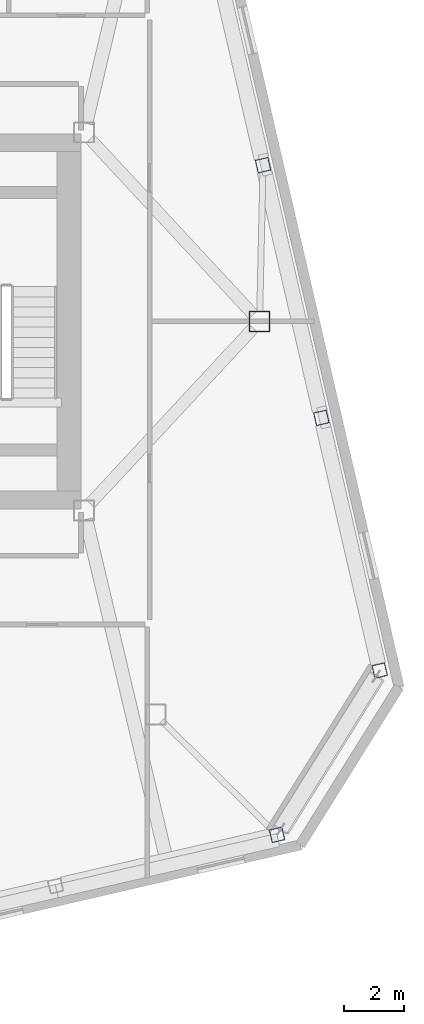
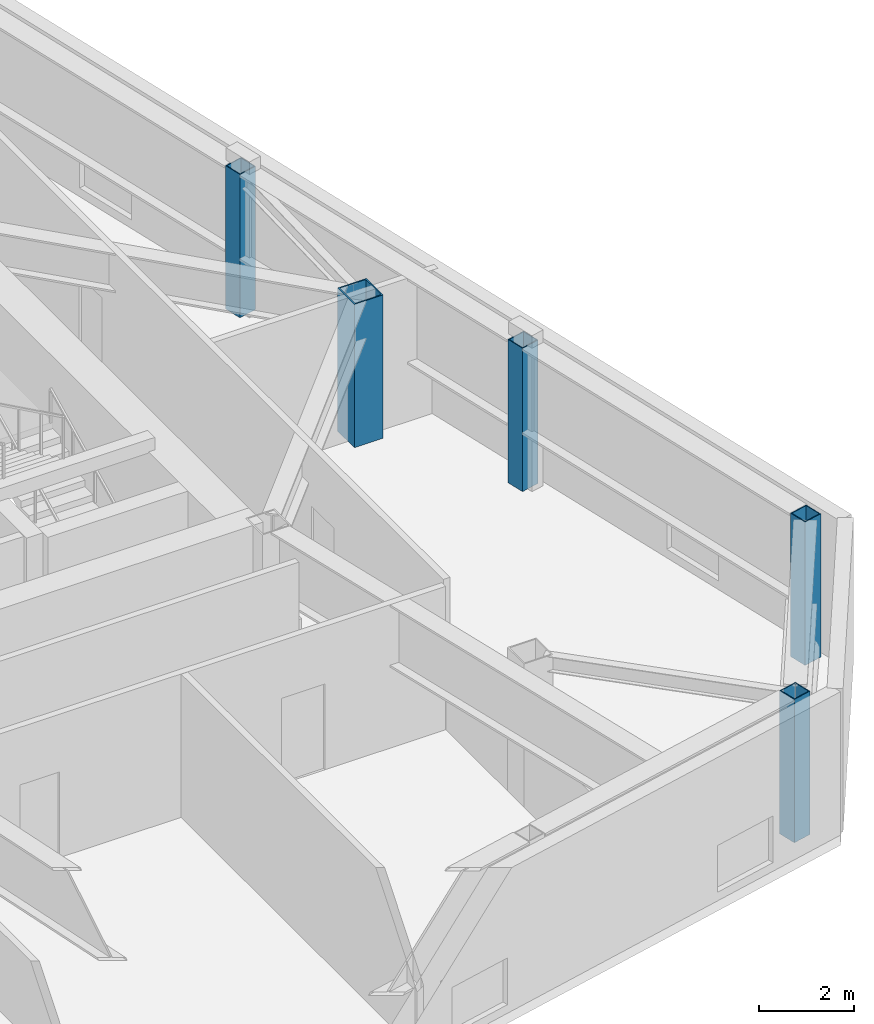
# One storey, part 3 of 23: 5 columns.
"""IFC4 building model written with IfcOpenShell, lengths in metres."""

import ifcopenshell
import ifcopenshell.guid

model = None  # the IFC model being written
_history = None  # IfcOwnerHistory: only IFC2X3 demands one
_inside = {}  # id of a spatial element -> (the spatial element, [elements in it])
_under = {}  # id of a project, library or spatial element -> (it, [spatial elements below it])
_declared = {}  # id of a project -> (the project, [libraries it declares])
_typed = {}  # id of a type object -> (the type object, [elements of that type])
_made_of = {}  # id of a material, layer set ... -> (it, [elements and type objects made of it])


def new_model(schema):
    """Start an empty IFC model of exactly this schema.

    Asked for "IFC4X3", IfcOpenShell would pick the latest addendum, in which some entities
    have other attributes; the version numbers below select the first issue.
    IFC2X3 requires an IfcOwnerHistory on every rooted entity: one is made here for all.
    """
    global model, _history
    if schema == "IFC4X3":
        model = ifcopenshell.file(schema_version=(4, 3, 0, 0))
    else:
        model = ifcopenshell.file(schema=schema)
    _inside.clear()
    _under.clear()
    _declared.clear()
    _typed.clear()
    _made_of.clear()
    _history = None
    if model.schema == "IFC2X3":
        org = make("IfcOrganization", Name="unknown")
        user = make(
            "IfcPersonAndOrganization",
            ThePerson=make("IfcPerson", FamilyName="unknown"),
            TheOrganization=org,
        )
        app = make(
            "IfcApplication",
            ApplicationDeveloper=org,
            Version="unknown",
            ApplicationFullName="unknown",
            ApplicationIdentifier="unknown",
        )
        _history = make(
            "IfcOwnerHistory",
            OwningUser=user,
            OwningApplication=app,
            ChangeAction="ADDED",
            CreationDate=0,
        )
    return model


def make(cls, **values):
    """One entity of the class cls with the attributes given. An attribute that is None is left unset."""
    return model.create_entity(
        cls, **{name: value for name, value in values.items() if value is not None}
    )


def rooted(cls, **values):
    """An entity with a GlobalId (a new one), such as an element, a storey or a relation."""
    return make(cls, GlobalId=ifcopenshell.guid.new(), OwnerHistory=_history, **values)


def si_unit(unit_type, name, prefix=None):
    """IfcSIUnit, for example si_unit("LENGTHUNIT", "METRE", prefix="MILLI")."""
    return make("IfcSIUnit", UnitType=unit_type, Prefix=prefix, Name=name)


def assignment(units):
    """IfcUnitAssignment: the units of a project."""
    return None if units is None else make("IfcUnitAssignment", Units=units)


def point(xyz):
    """IfcCartesianPoint."""
    return None if xyz is None else make("IfcCartesianPoint", Coordinates=xyz)


def direction(xyz):
    """IfcDirection."""
    return None if xyz is None else make("IfcDirection", DirectionRatios=xyz)


def frame(location, z_axis=None, x_axis=None):
    """IfcAxis2Placement3D, a coordinate frame: its origin and axes. An axis left out is left unset."""
    return make(
        "IfcAxis2Placement3D",
        Location=point(location),
        Axis=direction(z_axis),
        RefDirection=direction(x_axis),
    )


def frame_2d(location, x_axis=None):
    """IfcAxis2Placement2D, a coordinate frame in the plane: its origin and x axis."""
    return make(
        "IfcAxis2Placement2D", Location=point(location), RefDirection=direction(x_axis)
    )


def origin():
    """The frame at (0, 0, 0) with its axes left unset."""
    return frame((0.0, 0.0, 0.0))


def origin_2d():
    """The frame at (0, 0) in the plane with its x axis left unset."""
    return frame_2d((0.0, 0.0))


def place(relative_to, where):
    """IfcLocalPlacement: puts the frame where relative to a parent placement (None: the world)."""
    return make(
        "IfcLocalPlacement", PlacementRelTo=relative_to, RelativePlacement=where
    )


def context(
    kind, dimensions, precision=None, world=None, true_north=None, identifier=None
):
    """IfcGeometricRepresentationContext, for example the 3D "Model" context."""
    return make(
        "IfcGeometricRepresentationContext",
        ContextIdentifier=identifier,
        ContextType=kind,
        CoordinateSpaceDimension=dimensions,
        Precision=precision,
        WorldCoordinateSystem=world,
        TrueNorth=true_north,
    )


def subcontext(parent, identifier, kind, view, scale=None):
    """IfcGeometricRepresentationSubContext, for example "Body" below "Model"."""
    return make(
        "IfcGeometricRepresentationSubContext",
        ContextIdentifier=identifier,
        ContextType=kind,
        ParentContext=parent,
        TargetScale=scale,
        TargetView=view,
    )


def project(units=None, contexts=None):
    """IfcProject with its units and contexts."""
    return rooted(
        "IfcProject",
        Name="project",
        RepresentationContexts=contexts,
        UnitsInContext=assignment(units),
    )


def spatial(cls, under=None, at=None, **own):
    """A site, building, storey or space (cls), placed at a placement, below another one or the project."""
    s = rooted(cls, ObjectPlacement=at, **own)
    if under is not None:
        _under.setdefault(under.id(), (under, []))[1].append(s)
    return s


def profile(cls, at=None, kind="AREA", **sizes):
    """A parametric profile (cls). Its sizes go by their IFC names, for example OverallWidth=200.0."""
    return make(cls, ProfileType=kind, Position=at, **sizes)


def hollow_rectangle(**sizes):
    """IfcRectangleHollowProfileDef."""
    return profile("IfcRectangleHollowProfileDef", **sizes)


def extrude(swept, where, along, depth):
    """IfcExtrudedAreaSolid: the profile swept, set in the frame where, extruded along a direction by depth."""
    return make(
        "IfcExtrudedAreaSolid",
        SweptArea=swept,
        Position=where,
        ExtrudedDirection=direction(along),
        Depth=depth,
    )


def shape(context_of_items, identifier, shape_type, items):
    """IfcShapeRepresentation: the items that make up one representation, for example the "Body"."""
    return make(
        "IfcShapeRepresentation",
        ContextOfItems=context_of_items,
        RepresentationIdentifier=identifier,
        RepresentationType=shape_type,
        Items=items,
    )


def material(Name=None, Category=None):
    """IfcMaterial."""
    return make("IfcMaterial", Name=Name, Category=Category)


def material_profile(
    of_material, cross_section, Name=None, Category=None, Priority=None
):
    """IfcMaterialProfile: a cross section and its material."""
    return make(
        "IfcMaterialProfile",
        Name=Name,
        Material=of_material,
        Profile=cross_section,
        Priority=Priority,
        Category=Category,
    )


def profile_set(profiles, Name=None, composite=None):
    """IfcMaterialProfileSet."""
    return make(
        "IfcMaterialProfileSet",
        Name=Name,
        MaterialProfiles=profiles,
        CompositeProfile=composite,
    )


def made_of(thing, what):
    """Note that an element or type object is made of a material, layer set ...; save() writes the relation."""
    if what is not None:
        _made_of.setdefault(what.id(), (what, []))[1].append(thing)
    return thing


def type_object(cls, material=None, **own):
    """A type object (cls), such as IfcWallType, which elements share."""
    return made_of(rooted(cls, **own), material)


def element(
    cls,
    number,
    at=None,
    inside=None,
    cuts=None,
    type_object=None,
    material=None,
    context=None,
    identifier="Body",
    shape_type=None,
    held_by="IfcProductDefinitionShape",
    body=None,
    shapes=None,
    **own,
):
    """One element of the class cls, such as IfcWall. Its Tag is "e" and its number.

    at: its placement. inside: the storey or other place that contains it. cuts: it is an
    opening in that element (IfcRelVoidsElement). A single representation is given by context,
    identifier, shape_type and body (its items); several are given by shapes. held_by: the class
    of the entity that holds the representations. save() writes the other relations.
    """
    e = rooted(cls, Tag="e%d" % number, ObjectPlacement=at, **own)
    if body is not None:
        shapes = [shape(context, identifier, shape_type, body)]
    if shapes is not None:
        e.Representation = make(held_by, Representations=shapes)
    if inside is not None:
        _inside.setdefault(inside.id(), (inside, []))[1].append(e)
    if cuts is not None:
        rooted(
            "IfcRelVoidsElement", RelatingBuildingElement=cuts, RelatedOpeningElement=e
        )
    if type_object is not None:
        _typed.setdefault(type_object.id(), (type_object, []))[1].append(e)
    return made_of(e, material)


def aggregate(whole, parts):
    """IfcRelAggregates: a whole, such as a stair, and the parts it consists of."""
    return rooted("IfcRelAggregates", RelatingObject=whole, RelatedObjects=parts)


def save(model, path):
    """Write the relations noted so far, then the file.

    IfcRelAggregates (storeys below a building ...), IfcRelContainedInSpatialStructure (elements
    in a storey), IfcRelDefinesByType, IfcRelAssociatesMaterial and IfcRelDeclares: one each for
    every whole, place, type object, material and project.
    """
    for whole, parts in _under.values():
        aggregate(whole, parts)
    for where, things in _inside.values():
        rooted(
            "IfcRelContainedInSpatialStructure",
            RelatedElements=things,
            RelatingStructure=where,
        )
    for kind, things in _typed.values():
        rooted("IfcRelDefinesByType", RelatedObjects=things, RelatingType=kind)
    for what, things in _made_of.values():
        rooted("IfcRelAssociatesMaterial", RelatedObjects=things, RelatingMaterial=what)
    for by, libraries in _declared.values():
        rooted("IfcRelDeclares", RelatingContext=by, RelatedDefinitions=libraries)
    model.write(path)


model = new_model("IFC4")

# Units and contexts
model_context = context("Model", 3, precision=1e-05, world=origin(), true_north=direction((0.0, 1.0)))
body_context = subcontext(model_context, "Body", "Model", "MODEL_VIEW")
ifc_project = project(units=[si_unit("LENGTHUNIT", "METRE"), si_unit("AREAUNIT", "SQUARE_METRE"), si_unit("VOLUMEUNIT", "CUBIC_METRE"), si_unit("PLANEANGLEUNIT", "RADIAN"), si_unit("MASSUNIT", "GRAM", prefix="KILO")], contexts=[model_context])

# Site, building, storey
site_placement = place(None, origin())
site = spatial("IfcSite", under=ifc_project, at=site_placement, CompositionType="ELEMENT")
building_placement = place(site_placement, origin())
building = spatial("IfcBuilding", under=site, at=building_placement, Name="Tavrogorsk Clinical Tower", CompositionType="ELEMENT")
storey_placement = place(building_placement, frame((0.0, 0.0, 329.0)))
storey = spatial("IfcBuildingStorey", under=building, at=storey_placement, Name="L77", CompositionType="ELEMENT", Elevation=329.0)

# Columns
ifc_material_1 = material(Name="Structural steel S440", Category="steel")
ifc_material_profile_1 = material_profile(ifc_material_1, hollow_rectangle(XDim=0.699951171875, YDim=0.699951171875, WallThickness=0.031982421875, at=origin_2d()), Name="BOX-700x700x32")
ifc_profile_set_1 = profile_set([ifc_material_profile_1], Name="Structural steel S440")
column_type_1 = type_object("IfcColumnType", Name="MegaCol_BOX700", PredefinedType="COLUMN", material=ifc_profile_set_1)
column_placement = place(storey_placement, frame((28.0, 0.0, 0.0), z_axis=(0.0, 0.0, 1.0), x_axis=(1.0, 0.0, 0.0)))
element("IfcColumn", 1, at=column_placement, inside=storey, type_object=column_type_1, Name="L77 Spine Pilotis Column MC-P6", PredefinedType="COLUMN", context=body_context, shape_type="SweptSolid", body=[
    extrude(hollow_rectangle(XDim=0.699951171875, YDim=0.699951171875, WallThickness=0.031982421875, at=origin_2d()), origin(), (0.0, 0.0, 1.0), 3.679931640625),
])
ifc_material_2 = material(Name="Structural steel S440", Category="steel")
ifc_material_profile_2 = material_profile(ifc_material_2, hollow_rectangle(XDim=0.449951171875, YDim=0.449951171875, WallThickness=0.02197265625, at=origin_2d()), Name="BOX-450x450x22")
ifc_profile_set_2 = profile_set([ifc_material_profile_2], Name="Structural steel S440")
column_type_2 = type_object("IfcColumnType", Name="PerimCol_B5_BOX450", PredefinedType="COLUMN", material=ifc_profile_set_2)
for number, where, z_axis, x_axis, name in (
    (2, (28.588623046875, -17.244873046875, 0.0), (0.0, 0.0, 1.0), (0.974370064785, 0.224951054344, 0.0), "L77 Perimeter Column S8"),
    (3, (32.035888671875, -11.72802734375, 0.0), (0.0, 0.0, 1.0), (0.974370064785, 0.224951054344, 0.0), "L77 Perimeter Column E1"),
    (4, (30.07666015625, -3.2412109375, 0.0), (0.0, 0.0, 1.0), (0.974370064785, 0.224951054344, 0.0), "L77 Perimeter Column E2"),
    (5, (28.1171875, 5.24560546875, 0.0), (0.0, 0.0, 1.0), (0.974370064785, 0.224951054344, 0.0), "L77 Perimeter Column E3"),
):
    element("IfcColumn", number, at=place(storey_placement, frame(where, z_axis=z_axis, x_axis=x_axis)), inside=storey, type_object=column_type_2, Name=name, PredefinedType="COLUMN", context=body_context, shape_type="SweptSolid", body=[
        extrude(hollow_rectangle(XDim=0.449951171875, YDim=0.449951171875, WallThickness=0.02197265625, at=origin_2d()), origin(), (0.0, 0.0, 1.0), 3.679931640625),
    ])

save(model, "model.ifc")
